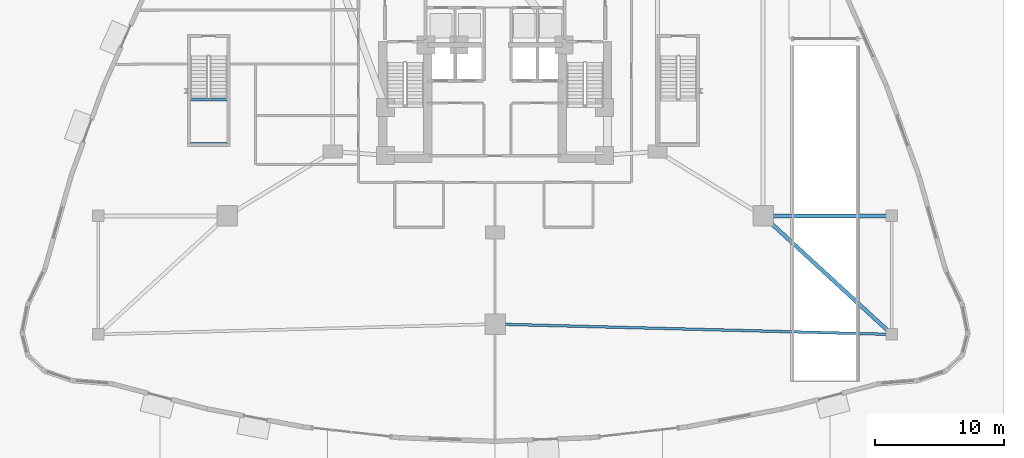
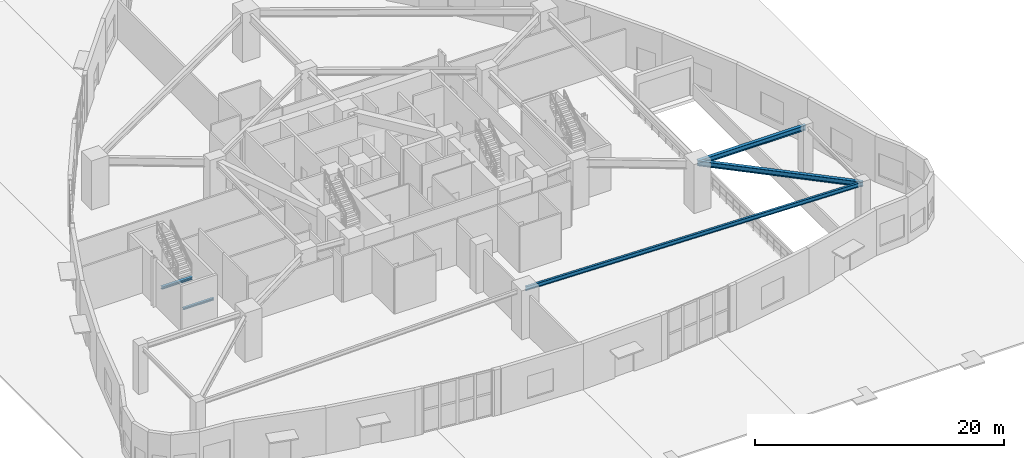
# One storey, part 7 of 32: 5 beams.
"""IFC4 building model written with IfcOpenShell, lengths in metres."""

from ifc_helpers import new_model, si_unit, direction, frame, origin, origin_2d, place, context, subcontext, project, spatial, i_section, extrude, material, material_profile, profile_set, type_object, element, save


model = new_model("IFC4")

# Units and contexts
model_context = context("Model", 3, precision=1e-05, world=origin(), true_north=direction((0.0, 1.0)))
body_context = subcontext(model_context, "Body", "Model", "MODEL_VIEW")
ifc_project = project(units=[si_unit("LENGTHUNIT", "METRE"), si_unit("AREAUNIT", "SQUARE_METRE"), si_unit("VOLUMEUNIT", "CUBIC_METRE"), si_unit("PLANEANGLEUNIT", "RADIAN"), si_unit("MASSUNIT", "GRAM", prefix="KILO")], contexts=[model_context])

# Site, building, storey
site_placement = place(None, origin())
site = spatial("IfcSite", under=ifc_project, at=site_placement, CompositionType="ELEMENT")
building_placement = place(site_placement, origin())
building = spatial("IfcBuilding", under=site, at=building_placement, Name="Miruveldt Soraemaru", CompositionType="ELEMENT")
storey_placement = place(building_placement, origin())
storey = spatial("IfcBuildingStorey", under=building, at=storey_placement, Name="L01", CompositionType="ELEMENT", Elevation=0.0)

# Beams
ifc_material = material(Name="Steel SM355 (355 MPa)", Category="steel")
ifc_material_profile_1 = material_profile(ifc_material, i_section(OverallWidth=0.199951171875, OverallDepth=0.39990234375, WebThickness=0.008056640625, FlangeThickness=0.012939453125, FilletRadius=0.01611328125, at=origin_2d()), Name="Steel SM355 (355 MPa)", Category="steel")
ifc_profile_set_1 = profile_set([ifc_material_profile_1], Name="Steel SM355 (355 MPa)")
beam_type_1 = type_object("IfcBeamType", Name="BM-ST-H400", PredefinedType="JOIST", material=ifc_profile_set_1)
beam_1_placement = place(storey_placement, frame((74.800048828125, 21.60009765625, 4.300048828125), z_axis=(-0.999663011165, 0.025958892686, 0.0), x_axis=(-0.025958892686, -0.999663011165, 0.0)))
element("IfcBeam", 1, at=beam_1_placement, inside=storey, type_object=beam_type_1, Name="L01 Podium South-East Tie Beam", PredefinedType="JOIST", context=body_context, shape_type="SweptSolid", body=[
    extrude(i_section(OverallWidth=0.199951171875, OverallDepth=0.39990234375, WebThickness=0.008056640625, FlangeThickness=0.012939453125, FilletRadius=0.01611328125, at=origin_2d()), origin(), (0.0, 0.0, 1.0), 30.810546875),
])
ifc_material_profile_2 = material_profile(ifc_material, i_section(OverallWidth=0.300048828125, OverallDepth=0.488037109375, WebThickness=0.010986328125, FlangeThickness=0.01806640625, FilletRadius=0.02587890625, at=origin_2d()), Name="Steel SM355 (355 MPa)", Category="steel")
ifc_profile_set_2 = profile_set([ifc_material_profile_2], Name="Steel SM355 (355 MPa)")
beam_type_2 = type_object("IfcBeamType", Name="BM-ST-H488", PredefinedType="BEAM", material=ifc_profile_set_2)
beam_2_placement = place(storey_placement, frame((64.800048828125, 30.800048828125, 4.256103515625), z_axis=(1.0, 0.0, 0.0), x_axis=(0.0, 1.0, 0.0)))
element("IfcBeam", 2, at=beam_2_placement, inside=storey, type_object=beam_type_2, Name="L01 Podium East Bay Girder 1", PredefinedType="BEAM", context=body_context, shape_type="SweptSolid", body=[
    extrude(i_section(OverallWidth=0.300048828125, OverallDepth=0.488037109375, WebThickness=0.010986328125, FlangeThickness=0.01806640625, FilletRadius=0.02587890625, at=origin_2d()), origin(), (0.0, 0.0, 1.0), 10.0),
])
beam_3_placement = place(storey_placement, frame((74.800048828125, 21.60009765625, 4.256103515625), z_axis=(-0.735932802242, 0.677054584641, 0.0), x_axis=(-0.677054584641, -0.735932802242, 0.0)))
element("IfcBeam", 3, at=beam_3_placement, inside=storey, type_object=beam_type_2, Name="L01 Podium East Bay Tie Girder", PredefinedType="BEAM", context=body_context, shape_type="SweptSolid", body=[
    extrude(i_section(OverallWidth=0.300048828125, OverallDepth=0.488037109375, WebThickness=0.010986328125, FlangeThickness=0.01806640625, FilletRadius=0.02587890625, at=origin_2d()), origin(), (0.0, 0.0, 1.0), 13.588134765625),
])
ifc_material_profile_3 = material_profile(ifc_material, i_section(OverallWidth=0.199951171875, OverallDepth=0.199951171875, WebThickness=0.008056640625, FlangeThickness=0.011962890625, FilletRadius=0.012939453125, at=origin_2d()), Name="Steel SM355 (355 MPa)", Category="steel")
ifc_profile_set_3 = profile_set([ifc_material_profile_3], Name="Steel SM355 (355 MPa)")
beam_type_3 = type_object("IfcBeamType", Name="BM-ST-LND200", PredefinedType="BEAM", material=ifc_profile_set_3)
beam_4_placement = place(storey_placement, frame((20.35009765625, 36.39990234375, 2.10009765625), z_axis=(1.0, 0.0, 0.0), x_axis=(0.0, 1.0, 0.0)))
element("IfcBeam", 4, at=beam_4_placement, inside=storey, type_object=beam_type_3, Name="L01 ST3 Landing End Beam 1B", PredefinedType="BEAM", context=body_context, shape_type="SweptSolid", body=[
    extrude(i_section(OverallWidth=0.199951171875, OverallDepth=0.199951171875, WebThickness=0.008056640625, FlangeThickness=0.011962890625, FilletRadius=0.012939453125, at=origin_2d()), origin(), (0.0, 0.0, 1.0), 2.849853515625),
])
ifc_material_profile_4 = material_profile(ifc_material, i_section(OverallWidth=0.25, OverallDepth=0.25, WebThickness=0.009033203125, FlangeThickness=0.013916015625, FilletRadius=0.01611328125, at=origin_2d()), Name="Steel SM355 (355 MPa)", Category="steel")
ifc_profile_set_4 = profile_set([ifc_material_profile_4], Name="Steel SM355 (355 MPa)")
beam_type_4 = type_object("IfcBeamType", Name="BM-ST-LND250", PredefinedType="BEAM", material=ifc_profile_set_4)
beam_5_placement = place(storey_placement, frame((20.35009765625, 39.840087890625, 2.074951171875), z_axis=(1.0, 0.0, 0.0), x_axis=(0.0, 1.0, 0.0)))
element("IfcBeam", 5, at=beam_5_placement, inside=storey, type_object=beam_type_4, Name="L01 ST3 Landing Support Beam 1A", PredefinedType="BEAM", context=body_context, shape_type="SweptSolid", body=[
    extrude(i_section(OverallWidth=0.25, OverallDepth=0.25, WebThickness=0.009033203125, FlangeThickness=0.013916015625, FilletRadius=0.01611328125, at=origin_2d()), origin(), (0.0, 0.0, 1.0), 2.849853515625),
])

save(model, "model.ifc")
